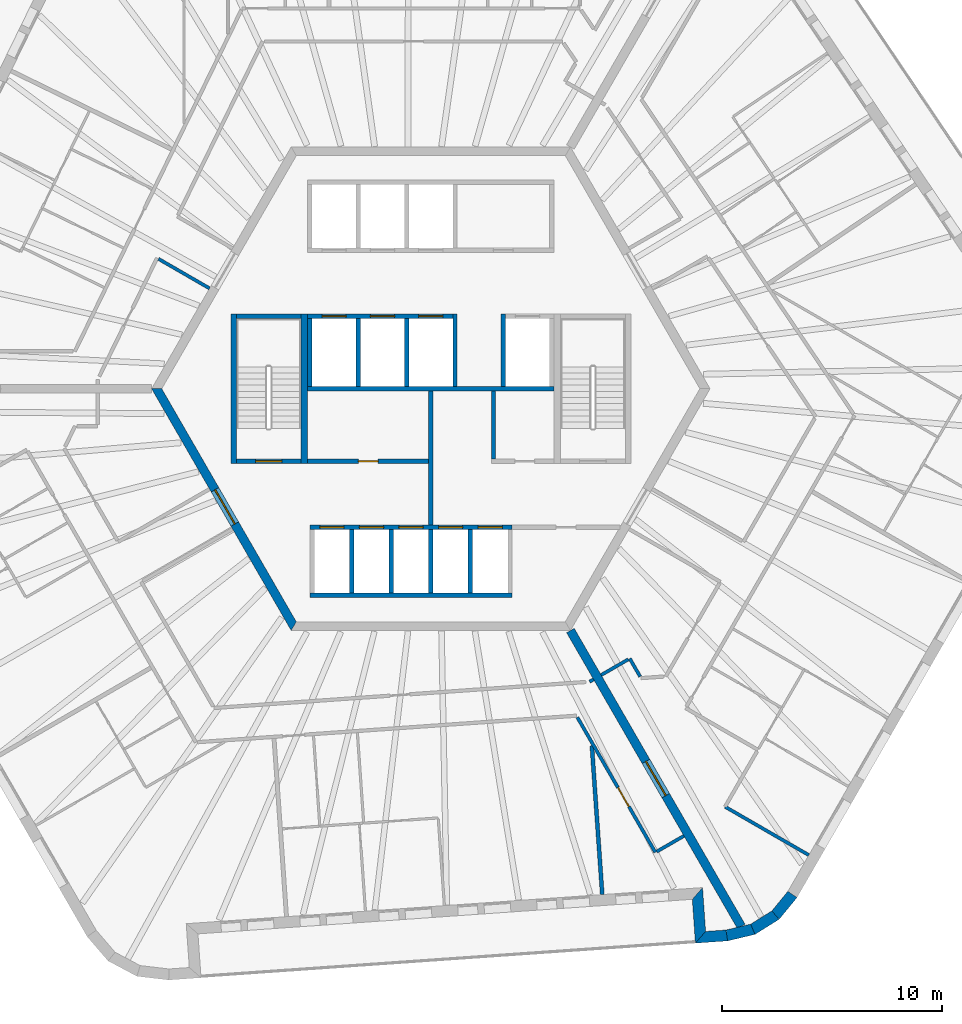
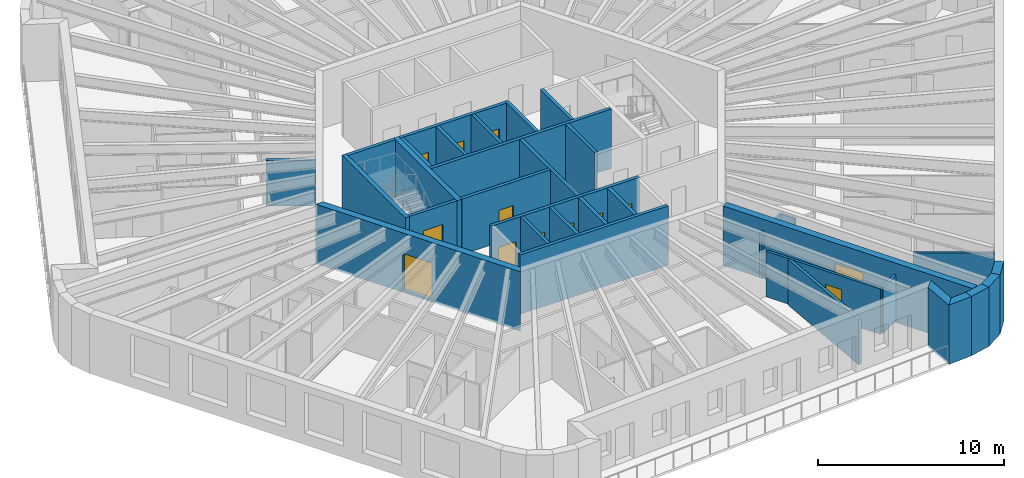
# One storey, part 5 of 12: 35 walls, 13 doors, 13 openings.
"""IFC4 building model written with IfcOpenShell, lengths in metres."""

from ifc_helpers import new_model, si_unit, direction, frame, frame_2d, origin, place, context, subcontext, project, spatial, polyline, rectangle, outline, extrude, material, layer, layer_set, type_object, element, fill, save


model = new_model("IFC4")

# Units and contexts
model_context = context("Model", 3, precision=1e-05, world=origin(), true_north=direction((0.0, 1.0)))
body_context = subcontext(model_context, "Body", "Model", "MODEL_VIEW")
ifc_project = project(units=[si_unit("LENGTHUNIT", "METRE"), si_unit("AREAUNIT", "SQUARE_METRE"), si_unit("VOLUMEUNIT", "CUBIC_METRE"), si_unit("PLANEANGLEUNIT", "RADIAN"), si_unit("MASSUNIT", "GRAM", prefix="KILO")], contexts=[model_context])

# Site, building, storey
site_placement = place(None, origin())
site = spatial("IfcSite", under=ifc_project, at=site_placement, CompositionType="ELEMENT")
building_placement = place(site_placement, origin())
building = spatial("IfcBuilding", under=site, at=building_placement, Name="Tarnside Tower", CompositionType="ELEMENT")
storey_placement = place(building_placement, frame((0.0, 0.0, 283.5)))
storey = spatial("IfcBuildingStorey", under=building, at=storey_placement, Name="L68", CompositionType="ELEMENT", Elevation=283.5)

# Wall, opening, door
ifc_material_1 = material(Name="Concrete C40/50", Category="concrete")
ifc_layer_1 = layer(ifc_material_1, 0.199951171875)
ifc_layer_set_1 = layer_set([ifc_layer_1], Name="Core room partition 200 C40/50")
wall_type_1 = type_object("IfcWallType", Name="Core room partition 200 C40/50", PredefinedType="PARTITIONING", material=ifc_layer_set_1)
wall_1_placement = place(storey_placement, frame((-5.60009765625, -3.300048828125, 0.0), z_axis=(0.0, 0.0, 1.0), x_axis=(1.0, 0.0, 0.0)))
wall_1 = element("IfcWall", 1, at=wall_1_placement, inside=storey, type_object=wall_type_1, Name="L68 core partition W3", PredefinedType="PARTITIONING", context=body_context, shape_type="SweptSolid", body=[
    extrude(rectangle(XDim=5.5, YDim=0.199951171875, at=frame_2d((2.75, 0.0))), origin(), (0.0, 0.0, 1.0), 3.64990234375),
])
opening_1_placement = place(wall_1_placement, frame((2.300048828125, 0.0, 0.0)))
opening_1 = element("IfcOpeningElement", 2, at=opening_1_placement, cuts=wall_1, Name="Opening CD-room", PredefinedType="OPENING", context=body_context, shape_type="SweptSolid", body=[
    extrude(rectangle(XDim=0.89990234375, YDim=2.10009765625, at=frame_2d((0.449951171875, 1.050048828125))), frame((0.0, 0.10986328125, 0.0), z_axis=(0.0, -1.0, 0.0), x_axis=(1.0, 0.0, 0.0)), (0.0, 0.0, 1.0), 0.219970703125),
])
ifc_material_2 = material(Name="Steel fire door", Category="steel")
door_type_1 = type_object("IfcDoorType", Name="Room door FD60 900x2100", OperationType="NOTDEFINED", PredefinedType="DOOR", material=ifc_material_2)
door_1_placement = place(opening_1_placement, origin())
door_1 = element("IfcDoor", 3, at=door_1_placement, inside=storey, type_object=door_type_1, Name="L68 core room door W3D", OperationType="SINGLE_SWING_LEFT", OverallHeight=2.10009765625, OverallWidth=0.89990234375, PredefinedType="DOOR", context=body_context, shape_type="SweptSolid", body=[
    extrude(rectangle(XDim=0.89990234375, YDim=2.10009765625, at=frame_2d((0.449951171875, 1.050048828125))), frame((0.0, 0.02490234375, 0.0), z_axis=(0.0, -1.0, 0.0), x_axis=(1.0, 0.0, 0.0)), (0.0, 0.0, 1.0), 0.050048828125),
])
fill(opening_1, door_1)

# Walls
wall_2_placement = place(storey_placement, frame((2.85009765625, -3.199951171875, 0.0), z_axis=(0.0, 0.0, 1.0), x_axis=(0.0, 1.0, 0.0)))
element("IfcWall", 4, at=wall_2_placement, inside=storey, type_object=wall_type_1, Name="L68 core partition R3P1a", PredefinedType="PARTITIONING", context=body_context, shape_type="SweptSolid", body=[
    extrude(rectangle(XDim=3.099853515625, YDim=0.199951171875, at=frame_2d((1.5498046875, 0.0))), origin(), (0.0, 0.0, 1.0), 3.64990234375),
])
wall_3_placement = place(storey_placement, frame((0.0, -6.199951171875, 0.0), z_axis=(0.0, 0.0, 1.0), x_axis=(0.0, 1.0, 0.0)))
element("IfcWall", 5, at=wall_3_placement, inside=storey, type_object=wall_type_1, Name="L68 core partition X0", PredefinedType="PARTITIONING", context=body_context, shape_type="SweptSolid", body=[
    extrude(rectangle(XDim=6.099853515625, YDim=0.199951171875, at=frame_2d((3.0498046875, 0.0))), origin(), (0.0, 0.0, 1.0), 3.64990234375),
])

# Wall, opening, door
ifc_material_3 = material(Name="Concrete C60/75", Category="concrete")
ifc_layer_2 = layer(ifc_material_3, 0.39990234375)
ifc_layer_set_2 = layer_set([ifc_layer_2], Name="Core wall Z3 400 C60/75")
wall_type_2 = type_object("IfcWallType", Name="Core wall Z3 400 C60/75", PredefinedType="SHEAR", material=ifc_layer_set_2)
wall_4_placement = place(storey_placement, frame((-12.470703125, 0.0, -0.14990234375), z_axis=(0.0, 0.0, 1.0), x_axis=(0.499996419489, -0.866027470984, 0.0)))
wall_4 = element("IfcWall", 6, at=wall_4_placement, inside=storey, type_object=wall_type_2, Name="L68 core wall face 3", PredefinedType="SHEAR", context=body_context, shape_type="SweptSolid", body=[
    extrude(outline(polyline([(-0.115478515625, -0.199951171875), (12.586181640625, -0.199951171875), (12.355224609375, 0.199951171875), (0.115478515625, 0.199951171875), (-0.115478515625, -0.199951171875)])), origin(), (0.0, 0.0, 1.0), 3.89990234375),
])
opening_2_placement = place(wall_4_placement, frame((5.306396484375, 0.0, 0.14990234375)))
opening_2 = element("IfcOpeningElement", 7, at=opening_2_placement, cuts=wall_4, Name="Opening CD-FFL", PredefinedType="OPENING", context=body_context, shape_type="SweptSolid", body=[
    extrude(rectangle(XDim=1.800048828125, YDim=2.39990234375, at=frame_2d((0.89990234375, 1.199951171875))), frame((0.0, 0.2099609375, 0.0), z_axis=(0.0, -1.0, 0.0), x_axis=(1.0, 0.0, 0.0)), (0.0, 0.0, 1.0), 0.419921875),
])
door_type_2 = type_object("IfcDoorType", Name="Firefighting lobby double door FD60S 1800x2400", OperationType="NOTDEFINED", PredefinedType="DOOR", material=ifc_material_2)
door_2_placement = place(opening_2_placement, origin())
door_2 = element("IfcDoor", 8, at=door_2_placement, inside=storey, type_object=door_type_2, Name="L68 core door P3", OperationType="DOUBLE_DOOR_SINGLE_SWING", OverallHeight=2.39990234375, OverallWidth=1.800048828125, PredefinedType="DOOR", context=body_context, shape_type="SweptSolid", body=[
    extrude(rectangle(XDim=1.800048828125, YDim=2.39990234375, at=frame_2d((0.89990234375, 1.199951171875))), frame((0.0, 0.02490234375, 0.0), z_axis=(0.0, -1.0, 0.0), x_axis=(1.0, 0.0, 0.0)), (0.0, 0.0, 1.0), 0.050048828125),
])
fill(opening_2, door_2)

wall_5_placement = place(storey_placement, frame((6.350830078125, -11.0, -0.14990234375), z_axis=(0.0, 0.0, 1.0), x_axis=(0.499998894578, -0.866026041999, 0.0)))
wall_5 = element("IfcWall", 9, at=wall_5_placement, inside=storey, type_object=wall_type_2, Name="L68 spine wall 3", PredefinedType="SHEAR", context=body_context, shape_type="SweptSolid", body=[
    extrude(rectangle(XDim=15.54443359375, YDim=0.39990234375, at=frame_2d((7.772216796875, 0.0))), origin(), (0.0, 0.0, 1.0), 3.89990234375),
])
opening_3_placement = place(wall_5_placement, frame((6.872314453125, 0.0, 0.14990234375)))
opening_3 = element("IfcOpeningElement", 10, at=opening_3_placement, cuts=wall_5, Name="Opening CD-SPN", PredefinedType="OPENING", context=body_context, shape_type="SweptSolid", body=[
    extrude(rectangle(XDim=1.800048828125, YDim=2.39990234375, at=frame_2d((0.89990234375, 1.199951171875))), frame((0.0, 0.2099609375, 0.0), z_axis=(0.0, -1.0, 0.0), x_axis=(1.0, 0.0, 0.0)), (0.0, 0.0, 1.0), 0.419921875),
])
door_type_3 = type_object("IfcDoorType", Name="Spine passage double door FD60 1800x2400", OperationType="NOTDEFINED", PredefinedType="DOOR", material=ifc_material_2)
door_3_placement = place(opening_3_placement, origin())
door_3 = element("IfcDoor", 11, at=door_3_placement, inside=storey, type_object=door_type_3, Name="L68 spine passage door 3", OperationType="DOUBLE_DOOR_SINGLE_SWING", OverallHeight=2.39990234375, OverallWidth=1.800048828125, PredefinedType="DOOR", context=body_context, shape_type="SweptSolid", body=[
    extrude(rectangle(XDim=1.800048828125, YDim=2.39990234375, at=frame_2d((0.89990234375, 1.199951171875))), frame((0.0, 0.02490234375, 0.0), z_axis=(0.0, -1.0, 0.0), x_axis=(1.0, 0.0, 0.0)), (0.0, 0.0, 1.0), 0.050048828125),
])
fill(opening_3, door_3)

# Wall
ifc_material_4 = material(Name="Gypsum board partition on steel studs", Category="steel")
ifc_layer_3 = layer(ifc_material_4, 0.14990234375)
ifc_layer_set_3 = layer_set([ifc_layer_3], Name="Corridor wall 150 EI 60")
wall_type_3 = type_object("IfcWallType", Name="Corridor wall 150 EI 60", PredefinedType="PARTITIONING", material=ifc_layer_set_3)
wall_6_placement = place(storey_placement, frame((-12.389404296875, 5.9072265625, 0.0), z_axis=(0.0, 0.0, 1.0), x_axis=(0.866034066097, -0.499984996134, 0.0)))
element("IfcWall", 12, at=wall_6_placement, inside=storey, type_object=wall_type_3, Name="Corridor wall 22028", PredefinedType="PARTITIONING", context=body_context, shape_type="SweptSolid", body=[
    extrude(rectangle(XDim=2.68310546875, YDim=0.14990234375, at=frame_2d((1.341552734375, 0.0))), origin(), (0.0, 0.0, 1.0), 2.98779296875),
])

# Wall, opening, door
wall_7_placement = place(storey_placement, frame((6.666259765625, -14.9462890625, 0.0), z_axis=(0.0, 0.0, 1.0), x_axis=(0.499979539361, -0.866037216418, 0.0)))
wall_7 = element("IfcWall", 13, at=wall_7_placement, inside=storey, type_object=wall_type_3, Name="Corridor wall 22041", PredefinedType="PARTITIONING", context=body_context, shape_type="SweptSolid", body=[
    extrude(rectangle(XDim=7.096923828125, YDim=0.14990234375, at=frame_2d((3.54833984375, 0.0))), origin(), (0.0, 0.0, 1.0), 2.98779296875),
])
opening_4_placement = place(wall_7_placement, frame((3.696044921875, 0.0, 0.0)))
opening_4 = element("IfcOpeningElement", 14, at=opening_4_placement, cuts=wall_7, Name="Opening D-E1", PredefinedType="OPENING", context=body_context, shape_type="SweptSolid", body=[
    extrude(rectangle(XDim=1.0, YDim=2.10009765625, at=frame_2d((0.5, 1.050048828125))), frame((0.0, 0.0849609375, 0.0), z_axis=(0.0, -1.0, 0.0), x_axis=(1.0, 0.0, 0.0)), (0.0, 0.0, 1.0), 0.169921875),
])
ifc_material_5 = material(Name="Timber door leaf", Category="wood")
door_type_4 = type_object("IfcDoorType", Name="Unit entrance door 1000 FD30S", OperationType="NOTDEFINED", PredefinedType="DOOR", material=ifc_material_5)
door_4_placement = place(opening_4_placement, origin())
door_4 = element("IfcDoor", 15, at=door_4_placement, inside=storey, type_object=door_type_4, Name="Unit door 22054", OperationType="SINGLE_SWING_RIGHT", OverallHeight=2.10009765625, OverallWidth=1.0, PredefinedType="DOOR", context=body_context, shape_type="SweptSolid", body=[
    extrude(rectangle(XDim=1.0, YDim=2.10009765625, at=frame_2d((0.5, 1.050048828125))), frame((0.0, 0.02490234375, 0.0), z_axis=(0.0, -1.0, 0.0), x_axis=(1.0, 0.0, 0.0)), (0.0, 0.0, 1.0), 0.050048828125),
])
fill(opening_4, door_4)

# Walls
wall_8_placement = place(storey_placement, frame((10.27978515625, -21.054931640625, 0.0), z_axis=(0.0, 0.0, 1.0), x_axis=(0.866020080793, 0.500009219579, 0.0)))
element("IfcWall", 16, at=wall_8_placement, inside=storey, type_object=wall_type_3, Name="Corridor wall 22045", PredefinedType="PARTITIONING", context=body_context, shape_type="SweptSolid", body=[
    extrude(rectangle(XDim=1.4248046875, YDim=0.14990234375, at=frame_2d((0.71240234375, 0.0))), origin(), (0.0, 0.0, 1.0), 2.98779296875),
])
wall_9_placement = place(storey_placement, frame((7.40380859375, -13.2236328125, 0.0), z_axis=(0.0, 0.0, 1.0), x_axis=(-0.866088799389, -0.499890179513, 0.0)))
element("IfcWall", 17, at=wall_9_placement, inside=storey, type_object=wall_type_3, Name="Corridor wall 22051", PredefinedType="PARTITIONING", context=body_context, shape_type="SweptSolid", body=[
    extrude(rectangle(XDim=0.2099609375, YDim=0.14990234375, at=frame_2d((0.10498046875, 0.0))), origin(), (0.0, 0.0, 1.0), 2.98779296875),
])
wall_10_placement = place(storey_placement, frame((17.196044921875, -21.215576171875, 0.0), z_axis=(0.0, 0.0, 1.0), x_axis=(-0.866010893236, 0.500025132165, 0.0)))
element("IfcWall", 18, at=wall_10_placement, inside=storey, type_object=wall_type_3, Name="Corridor wall 22060", PredefinedType="PARTITIONING", context=body_context, shape_type="SweptSolid", body=[
    extrude(rectangle(XDim=4.398681640625, YDim=0.14990234375, at=frame_2d((2.19921875, 0.0))), origin(), (0.0, 0.0, 1.0), 2.98779296875),
])
wall_11_placement = place(storey_placement, frame((9.52197265625, -13.0927734375, 0.0), z_axis=(0.0, 0.0, 1.0), x_axis=(-0.499804398801, 0.866138304741, 0.0)))
element("IfcWall", 19, at=wall_11_placement, inside=storey, type_object=wall_type_3, Name="Corridor wall 22079", PredefinedType="PARTITIONING", context=body_context, shape_type="SweptSolid", body=[
    extrude(rectangle(XDim=0.94580078125, YDim=0.14990234375, at=frame_2d((0.472900390625, 0.0))), origin(), (0.0, 0.0, 1.0), 2.98779296875),
])
wall_12_placement = place(storey_placement, frame((8.984130859375, -12.311279296875, 0.0), z_axis=(0.0, 0.0, 1.0), x_axis=(-0.866020080793, -0.500009219579, 0.0)))
element("IfcWall", 20, at=wall_12_placement, inside=storey, type_object=wall_type_3, Name="Corridor wall 22080", PredefinedType="PARTITIONING", context=body_context, shape_type="SweptSolid", body=[
    extrude(rectangle(XDim=1.4248046875, YDim=0.14990234375, at=frame_2d((0.71240234375, 0.0))), origin(), (0.0, 0.0, 1.0), 2.98779296875),
])
ifc_layer_4 = layer(ifc_material_4, 0.179931640625)
ifc_layer_set_4 = layer_set([ifc_layer_4], Name="Demising wall 180 EI 60")
wall_type_4 = type_object("IfcWallType", Name="Demising wall 180 EI 60", PredefinedType="PARTITIONING", material=ifc_layer_set_4)
wall_13_placement = place(storey_placement, frame((7.799560546875, -23.011962890625, 0.0), z_axis=(0.0, 0.0, 1.0), x_axis=(-0.069757205717, 0.997563999075, 0.0)))
element("IfcWall", 21, at=wall_13_placement, inside=storey, type_object=wall_type_4, Name="Demising wall 22140", PredefinedType="PARTITIONING", context=body_context, shape_type="SweptSolid", body=[
    extrude(rectangle(XDim=6.789794921875, YDim=0.179931640625, at=frame_2d((3.39501953125, 0.0))), origin(), (0.0, 0.0, 1.0), 2.98779296875),
])

# Wall, openings, doors
ifc_layer_5 = layer(ifc_material_1, 0.199951171875)
ifc_layer_set_5 = layer_set([ifc_layer_5], Name="Lift shaft wall 200 C40/50")
wall_type_5 = type_object("IfcWallType", Name="Lift shaft wall 200 C40/50", PredefinedType="SHEAR", material=ifc_layer_set_5)
wall_14_placement = place(storey_placement, frame((-5.60009765625, 3.300048828125, -0.25), z_axis=(0.0, 0.0, 1.0), x_axis=(1.0, 0.0, 0.0)))
wall_14 = element("IfcWall", 22, at=wall_14_placement, inside=storey, type_object=wall_type_5, Name="L68 lift shaft front wall R2", PredefinedType="SHEAR", context=body_context, shape_type="SweptSolid", body=[
    extrude(rectangle(XDim=6.60009765625, YDim=0.199951171875, at=frame_2d((3.300048828125, 0.0))), origin(), (0.0, 0.0, 1.0), 3.89990234375),
])
opening_5_placement = place(wall_14_placement, frame((0.64990234375, 0.0, 0.25)))
opening_5 = element("IfcOpeningElement", 23, at=opening_5_placement, cuts=wall_14, Name="Opening LD", PredefinedType="OPENING", context=body_context, shape_type="SweptSolid", body=[
    extrude(rectangle(XDim=1.10009765625, YDim=2.10009765625, at=frame_2d((0.550048828125, 1.050048828125))), frame((0.0, 0.10986328125, 0.0), z_axis=(0.0, -1.0, 0.0), x_axis=(1.0, 0.0, 0.0)), (0.0, 0.0, 1.0), 0.219970703125),
])
opening_6_placement = place(wall_14_placement, frame((2.85009765625, 0.0, 0.25)))
opening_6 = element("IfcOpeningElement", 24, at=opening_6_placement, cuts=wall_14, Name="Opening LD", PredefinedType="OPENING", context=body_context, shape_type="SweptSolid", body=[
    extrude(rectangle(XDim=1.10009765625, YDim=2.10009765625, at=frame_2d((0.550048828125, 1.050048828125))), frame((0.0, 0.10986328125, 0.0), z_axis=(0.0, -1.0, 0.0), x_axis=(1.0, 0.0, 0.0)), (0.0, 0.0, 1.0), 0.219970703125),
])
opening_7_placement = place(wall_14_placement, frame((5.050048828125, 0.0, 0.25)))
opening_7 = element("IfcOpeningElement", 25, at=opening_7_placement, cuts=wall_14, Name="Opening LD", PredefinedType="OPENING", context=body_context, shape_type="SweptSolid", body=[
    extrude(rectangle(XDim=1.10009765625, YDim=2.10009765625, at=frame_2d((0.550048828125, 1.050048828125))), frame((0.0, 0.10986328125, 0.0), z_axis=(0.0, -1.0, 0.0), x_axis=(1.0, 0.0, 0.0)), (0.0, 0.0, 1.0), 0.219970703125),
])
ifc_material_6 = material(Name="Stainless steel", Category="steel")
door_type_5 = type_object("IfcDoorType", Name="Lift landing door 1100x2100", OperationType="NOTDEFINED", PredefinedType="DOOR", material=ifc_material_6)
door_5_placement = place(opening_5_placement, origin())
door_5 = element("IfcDoor", 26, at=door_5_placement, inside=storey, type_object=door_type_5, Name="High-rise lift 4 landing door L68", OperationType="SLIDING_TO_LEFT", OverallHeight=2.10009765625, OverallWidth=1.10009765625, PredefinedType="DOOR", context=body_context, shape_type="SweptSolid", body=[
    extrude(rectangle(XDim=1.10009765625, YDim=2.10009765625, at=frame_2d((0.550048828125, 1.050048828125))), frame((0.0, 0.02490234375, 0.0), z_axis=(0.0, -1.0, 0.0), x_axis=(1.0, 0.0, 0.0)), (0.0, 0.0, 1.0), 0.050048828125),
])
fill(opening_5, door_5)
door_6_placement = place(opening_6_placement, origin())
door_6 = element("IfcDoor", 27, at=door_6_placement, inside=storey, type_object=door_type_5, Name="High-rise lift 5 landing door L68", OperationType="SLIDING_TO_LEFT", OverallHeight=2.10009765625, OverallWidth=1.10009765625, PredefinedType="DOOR", context=body_context, shape_type="SweptSolid", body=[
    extrude(rectangle(XDim=1.10009765625, YDim=2.10009765625, at=frame_2d((0.550048828125, 1.050048828125))), frame((0.0, 0.02490234375, 0.0), z_axis=(0.0, -1.0, 0.0), x_axis=(1.0, 0.0, 0.0)), (0.0, 0.0, 1.0), 0.050048828125),
])
fill(opening_6, door_6)
door_7_placement = place(opening_7_placement, origin())
door_7 = element("IfcDoor", 28, at=door_7_placement, inside=storey, type_object=door_type_5, Name="High-rise lift 6 landing door L68", OperationType="SLIDING_TO_LEFT", OverallHeight=2.10009765625, OverallWidth=1.10009765625, PredefinedType="DOOR", context=body_context, shape_type="SweptSolid", body=[
    extrude(rectangle(XDim=1.10009765625, YDim=2.10009765625, at=frame_2d((0.550048828125, 1.050048828125))), frame((0.0, 0.02490234375, 0.0), z_axis=(0.0, -1.0, 0.0), x_axis=(1.0, 0.0, 0.0)), (0.0, 0.0, 1.0), 0.050048828125),
])
fill(opening_7, door_7)

# Walls
wall_15_placement = place(storey_placement, frame((-5.60009765625, 0.0, -0.25), z_axis=(0.0, 0.0, 1.0), x_axis=(1.0, 0.0, 0.0)))
element("IfcWall", 29, at=wall_15_placement, inside=storey, type_object=wall_type_5, Name="L68 lift shaft back wall R2", PredefinedType="SHEAR", context=body_context, shape_type="SweptSolid", body=[
    extrude(rectangle(XDim=11.2001953125, YDim=0.199951171875, at=frame_2d((5.60009765625, 0.0))), origin(), (0.0, 0.0, 1.0), 3.89990234375),
])
for number, where, z_axis, x_axis, name in (
    (30, (-5.5, 0.10009765625, -0.25), (0.0, 0.0, 1.0), (0.0, 1.0, 0.0), "L68 lift shaft partition R21"),
    (31, (-3.300048828125, 0.10009765625, -0.25), (0.0, 0.0, 1.0), (0.0, 1.0, 0.0), "L68 lift shaft partition R22"),
    (32, (-1.10009765625, 0.10009765625, -0.25), (0.0, 0.0, 1.0), (0.0, 1.0, 0.0), "L68 lift shaft partition R23"),
):
    element("IfcWall", number, at=place(storey_placement, frame(where, z_axis=z_axis, x_axis=x_axis)), inside=storey, type_object=wall_type_5, Name=name, PredefinedType="SHEAR", context=body_context, shape_type="SweptSolid", body=[
        extrude(rectangle(XDim=3.099853515625, YDim=0.199951171875, at=frame_2d((1.5498046875, 0.0))), origin(), (0.0, 0.0, 1.0), 3.89990234375),
    ])
for number, where, z_axis, x_axis, name in (
    (33, (1.10009765625, 0.10009765625, -0.25), (0.0, 0.0, 1.0), (0.0, 1.0, 0.0), "L68 lift shaft partition R24"),
    (34, (3.300048828125, 0.10009765625, -0.25), (0.0, 0.0, 1.0), (0.0, 1.0, 0.0), "L68 lift shaft partition R25"),
):
    element("IfcWall", number, at=place(storey_placement, frame(where, z_axis=z_axis, x_axis=x_axis)), inside=storey, type_object=wall_type_5, Name=name, PredefinedType="SHEAR", context=body_context, shape_type="SweptSolid", body=[
        extrude(rectangle(XDim=3.2998046875, YDim=0.199951171875, at=frame_2d((1.64990234375, 0.0))), origin(), (0.0, 0.0, 1.0), 3.89990234375),
    ])

# Wall, openings, doors
wall_16_placement = place(storey_placement, frame((-5.5, -6.300048828125, -0.25), z_axis=(0.0, 0.0, 1.0), x_axis=(1.0, 0.0, 0.0)))
wall_16 = element("IfcWall", 35, at=wall_16_placement, inside=storey, type_object=wall_type_5, Name="L68 lift shaft front wall R4", PredefinedType="SHEAR", context=body_context, shape_type="SweptSolid", body=[
    extrude(rectangle(XDim=9.199951171875, YDim=0.199951171875, at=frame_2d((4.60009765625, 0.0))), origin(), (0.0, 0.0, 1.0), 3.89990234375),
])
opening_8_placement = place(wall_16_placement, frame((0.449951171875, 0.0, 0.25)))
opening_8 = element("IfcOpeningElement", 36, at=opening_8_placement, cuts=wall_16, Name="Opening LDF", PredefinedType="OPENING", context=body_context, shape_type="SweptSolid", body=[
    extrude(rectangle(XDim=1.10009765625, YDim=2.10009765625, at=frame_2d((0.550048828125, 1.050048828125))), frame((0.0, 0.10986328125, 0.0), z_axis=(0.0, -1.0, 0.0), x_axis=(1.0, 0.0, 0.0)), (0.0, 0.0, 1.0), 0.219970703125),
])
opening_9_placement = place(wall_16_placement, frame((2.25, 0.0, 0.25)))
opening_9 = element("IfcOpeningElement", 37, at=opening_9_placement, cuts=wall_16, Name="Opening LDF", PredefinedType="OPENING", context=body_context, shape_type="SweptSolid", body=[
    extrude(rectangle(XDim=1.10009765625, YDim=2.10009765625, at=frame_2d((0.550048828125, 1.050048828125))), frame((0.0, 0.10986328125, 0.0), z_axis=(0.0, -1.0, 0.0), x_axis=(1.0, 0.0, 0.0)), (0.0, 0.0, 1.0), 0.219970703125),
])
opening_10_placement = place(wall_16_placement, frame((4.050048828125, 0.0, 0.25)))
opening_10 = element("IfcOpeningElement", 38, at=opening_10_placement, cuts=wall_16, Name="Opening LDF", PredefinedType="OPENING", context=body_context, shape_type="SweptSolid", body=[
    extrude(rectangle(XDim=1.10009765625, YDim=2.10009765625, at=frame_2d((0.550048828125, 1.050048828125))), frame((0.0, 0.10986328125, 0.0), z_axis=(0.0, -1.0, 0.0), x_axis=(1.0, 0.0, 0.0)), (0.0, 0.0, 1.0), 0.219970703125),
])
opening_11_placement = place(wall_16_placement, frame((5.85009765625, 0.0, 0.25)))
opening_11 = element("IfcOpeningElement", 39, at=opening_11_placement, cuts=wall_16, Name="Opening LDF", PredefinedType="OPENING", context=body_context, shape_type="SweptSolid", body=[
    extrude(rectangle(XDim=1.10009765625, YDim=2.10009765625, at=frame_2d((0.550048828125, 1.050048828125))), frame((0.0, 0.10986328125, 0.0), z_axis=(0.0, -1.0, 0.0), x_axis=(1.0, 0.0, 0.0)), (0.0, 0.0, 1.0), 0.219970703125),
])
opening_12_placement = place(wall_16_placement, frame((7.64990234375, 0.0, 0.25)))
opening_12 = element("IfcOpeningElement", 40, at=opening_12_placement, cuts=wall_16, Name="Opening LDF", PredefinedType="OPENING", context=body_context, shape_type="SweptSolid", body=[
    extrude(rectangle(XDim=1.10009765625, YDim=2.10009765625, at=frame_2d((0.550048828125, 1.050048828125))), frame((0.0, 0.10986328125, 0.0), z_axis=(0.0, -1.0, 0.0), x_axis=(1.0, 0.0, 0.0)), (0.0, 0.0, 1.0), 0.219970703125),
])
door_type_6 = type_object("IfcDoorType", Name="Lift landing door 1100x2100 EI 120", OperationType="NOTDEFINED", PredefinedType="DOOR", material=ifc_material_6)
door_8_placement = place(opening_8_placement, origin())
door_8 = element("IfcDoor", 41, at=door_8_placement, inside=storey, type_object=door_type_6, Name="Firefighting lift 1 landing door L68", OperationType="SLIDING_TO_LEFT", OverallHeight=2.10009765625, OverallWidth=1.10009765625, PredefinedType="DOOR", context=body_context, shape_type="SweptSolid", body=[
    extrude(rectangle(XDim=1.10009765625, YDim=2.10009765625, at=frame_2d((0.550048828125, 1.050048828125))), frame((0.0, 0.02490234375, 0.0), z_axis=(0.0, -1.0, 0.0), x_axis=(1.0, 0.0, 0.0)), (0.0, 0.0, 1.0), 0.050048828125),
])
fill(opening_8, door_8)
door_9_placement = place(opening_9_placement, origin())
door_9 = element("IfcDoor", 42, at=door_9_placement, inside=storey, type_object=door_type_6, Name="Firefighting lift 2 landing door L68", OperationType="SLIDING_TO_LEFT", OverallHeight=2.10009765625, OverallWidth=1.10009765625, PredefinedType="DOOR", context=body_context, shape_type="SweptSolid", body=[
    extrude(rectangle(XDim=1.10009765625, YDim=2.10009765625, at=frame_2d((0.550048828125, 1.050048828125))), frame((0.0, 0.02490234375, 0.0), z_axis=(0.0, -1.0, 0.0), x_axis=(1.0, 0.0, 0.0)), (0.0, 0.0, 1.0), 0.050048828125),
])
fill(opening_9, door_9)
door_10_placement = place(opening_10_placement, origin())
door_10 = element("IfcDoor", 43, at=door_10_placement, inside=storey, type_object=door_type_6, Name="Firefighting lift 3 landing door L68", OperationType="SLIDING_TO_LEFT", OverallHeight=2.10009765625, OverallWidth=1.10009765625, PredefinedType="DOOR", context=body_context, shape_type="SweptSolid", body=[
    extrude(rectangle(XDim=1.10009765625, YDim=2.10009765625, at=frame_2d((0.550048828125, 1.050048828125))), frame((0.0, 0.02490234375, 0.0), z_axis=(0.0, -1.0, 0.0), x_axis=(1.0, 0.0, 0.0)), (0.0, 0.0, 1.0), 0.050048828125),
])
fill(opening_10, door_10)
door_11_placement = place(opening_11_placement, origin())
door_11 = element("IfcDoor", 44, at=door_11_placement, inside=storey, type_object=door_type_6, Name="Firefighting lift 4 landing door L68", OperationType="SLIDING_TO_LEFT", OverallHeight=2.10009765625, OverallWidth=1.10009765625, PredefinedType="DOOR", context=body_context, shape_type="SweptSolid", body=[
    extrude(rectangle(XDim=1.10009765625, YDim=2.10009765625, at=frame_2d((0.550048828125, 1.050048828125))), frame((0.0, 0.02490234375, 0.0), z_axis=(0.0, -1.0, 0.0), x_axis=(1.0, 0.0, 0.0)), (0.0, 0.0, 1.0), 0.050048828125),
])
fill(opening_11, door_11)
door_12_placement = place(opening_12_placement, origin())
door_12 = element("IfcDoor", 45, at=door_12_placement, inside=storey, type_object=door_type_6, Name="Firefighting lift 5 landing door L68", OperationType="SLIDING_TO_LEFT", OverallHeight=2.10009765625, OverallWidth=1.10009765625, PredefinedType="DOOR", context=body_context, shape_type="SweptSolid", body=[
    extrude(rectangle(XDim=1.10009765625, YDim=2.10009765625, at=frame_2d((0.550048828125, 1.050048828125))), frame((0.0, 0.02490234375, 0.0), z_axis=(0.0, -1.0, 0.0), x_axis=(1.0, 0.0, 0.0)), (0.0, 0.0, 1.0), 0.050048828125),
])
fill(opening_12, door_12)

# Walls
wall_17_placement = place(storey_placement, frame((-5.5, -9.39990234375, -0.25), z_axis=(0.0, 0.0, 1.0), x_axis=(1.0, 0.0, 0.0)))
element("IfcWall", 46, at=wall_17_placement, inside=storey, type_object=wall_type_5, Name="L68 lift shaft back wall R4", PredefinedType="SHEAR", context=body_context, shape_type="SweptSolid", body=[
    extrude(rectangle(XDim=9.199951171875, YDim=0.199951171875, at=frame_2d((4.60009765625, 0.0))), origin(), (0.0, 0.0, 1.0), 3.89990234375),
])
for number, where, z_axis, x_axis, name in (
    (47, (-3.60009765625, -9.300048828125, -0.25), (0.0, 0.0, 1.0), (0.0, 1.0, 0.0), "L68 lift shaft partition R42"),
    (48, (-1.800048828125, -9.300048828125, -0.25), (0.0, 0.0, 1.0), (0.0, 1.0, 0.0), "L68 lift shaft partition R43"),
    (49, (0.0, -9.300048828125, -0.25), (0.0, 0.0, 1.0), (0.0, 1.0, 0.0), "L68 lift shaft partition R44"),
    (50, (1.800048828125, -9.300048828125, -0.25), (0.0, 0.0, 1.0), (0.0, 1.0, 0.0), "L68 lift shaft partition R45"),
):
    element("IfcWall", number, at=place(storey_placement, frame(where, z_axis=z_axis, x_axis=x_axis)), inside=storey, type_object=wall_type_5, Name=name, PredefinedType="SHEAR", context=body_context, shape_type="SweptSolid", body=[
        extrude(rectangle(XDim=2.900146484375, YDim=0.199951171875, at=frame_2d((1.4501953125, 0.0))), origin(), (0.0, 0.0, 1.0), 3.89990234375),
    ])
wall_18_placement = place(storey_placement, frame((-8.85009765625, 3.300048828125, -0.25), z_axis=(0.0, 0.0, 1.0), x_axis=(1.0, 0.0, 0.0)))
element("IfcWall", 51, at=wall_18_placement, inside=storey, type_object=wall_type_5, Name="L68 stair 2 enclosure cap wall n", PredefinedType="SHEAR", context=body_context, shape_type="SweptSolid", body=[
    extrude(rectangle(XDim=2.9501953125, YDim=0.199951171875, at=frame_2d((1.47509765625, 0.0))), origin(), (0.0, 0.0, 1.0), 3.89990234375),
])

# Wall, opening, door
wall_19_placement = place(storey_placement, frame((-8.85009765625, -3.300048828125, -0.25), z_axis=(0.0, 0.0, 1.0), x_axis=(1.0, 0.0, 0.0)))
wall_19 = element("IfcWall", 52, at=wall_19_placement, inside=storey, type_object=wall_type_5, Name="L68 stair 2 enclosure cap wall s", PredefinedType="SHEAR", context=body_context, shape_type="SweptSolid", body=[
    extrude(rectangle(XDim=2.9501953125, YDim=0.199951171875, at=frame_2d((1.47509765625, 0.0))), origin(), (0.0, 0.0, 1.0), 3.89990234375),
])
opening_13_placement = place(wall_19_placement, frame((0.875, 0.0, 0.25)))
opening_13 = element("IfcOpeningElement", 53, at=opening_13_placement, cuts=wall_19, Name="Opening CD-STR", PredefinedType="OPENING", context=body_context, shape_type="SweptSolid", body=[
    extrude(rectangle(XDim=1.199951171875, YDim=2.39990234375, at=frame_2d((0.60009765625, 1.199951171875))), frame((0.0, 0.10986328125, 0.0), z_axis=(0.0, -1.0, 0.0), x_axis=(1.0, 0.0, 0.0)), (0.0, 0.0, 1.0), 0.219970703125),
])
door_type_7 = type_object("IfcDoorType", Name="Stair door FD60S 1200x2400", OperationType="NOTDEFINED", PredefinedType="DOOR", material=ifc_material_2)
door_13_placement = place(opening_13_placement, origin())
door_13 = element("IfcDoor", 54, at=door_13_placement, inside=storey, type_object=door_type_7, Name="L68 stair 2 door", OperationType="SINGLE_SWING_LEFT", OverallHeight=2.39990234375, OverallWidth=1.199951171875, PredefinedType="DOOR", context=body_context, shape_type="SweptSolid", body=[
    extrude(rectangle(XDim=1.199951171875, YDim=2.39990234375, at=frame_2d((0.60009765625, 1.199951171875))), frame((0.0, 0.02490234375, 0.0), z_axis=(0.0, -1.0, 0.0), x_axis=(1.0, 0.0, 0.0)), (0.0, 0.0, 1.0), 0.050048828125),
])
fill(opening_13, door_13)

# Walls
ifc_material_7 = material(Name="Dark zinc cladding")
ifc_layer_6 = layer(ifc_material_7, 0.10205078125)
ifc_material_8 = material(Name="Concrete C60/75 precast", Category="concrete")
ifc_layer_7 = layer(ifc_material_8, 0.298095703125)
ifc_material_9 = material(Name="Mineral wool insulation")
ifc_layer_8 = layer(ifc_material_9, 0.10009765625)
ifc_layer_set_6 = layer_set([ifc_layer_6, ifc_layer_7, ifc_layer_8], Name="Loggia wall 500 zinc faced")
wall_type_6 = type_object("IfcWallType", Name="Loggia wall 500 zinc faced", PredefinedType="SOLIDWALL", material=ifc_layer_set_6)
wall_20_placement = place(storey_placement, frame((12.128662109375, -22.9599609375, -0.14990234375), z_axis=(0.0, 0.0, 1.0), x_axis=(0.069824268692, -0.99755930726, 0.0)))
element("IfcWall", 55, at=wall_20_placement, inside=storey, type_object=wall_type_6, Name="Tube wall L68 F4 return 19", PredefinedType="SOLIDWALL", context=body_context, shape_type="SweptSolid", body=[
    extrude(outline(polyline([(0.25, -0.25), (2.25, -0.25), (1.75, 0.25), (-0.25, 0.25), (0.25, -0.25)])), origin(), (0.0, 0.0, 1.0), 3.89990234375),
])
wall_21_placement = place(storey_placement, frame((12.268310546875, -24.955078125, -0.14990234375), z_axis=(0.0, 0.0, 1.0), x_axis=(0.997561942506, 0.06978660948, 0.0)))
element("IfcWall", 56, at=wall_21_placement, inside=storey, type_object=wall_type_6, Name="Tube wall L68 F4 stub 20", PredefinedType="SOLIDWALL", context=body_context, shape_type="SweptSolid", body=[
    extrude(outline(polyline([(-0.25, -0.25), (1.220458984375, -0.25), (1.179443359375, 0.25), (0.25, 0.25), (-0.25, -0.25)])), origin(), (0.0, 0.0, 1.0), 3.89990234375),
])
ifc_layer_9 = layer(ifc_material_1, 0.25)
ifc_layer_set_7 = layer_set([ifc_layer_9], Name="Stair enclosure wall 250 C40/50")
wall_type_7 = type_object("IfcWallType", Name="Stair enclosure wall 250 C40/50", PredefinedType="SHEAR", material=ifc_layer_set_7)
wall_22_placement = place(storey_placement, frame((-8.97509765625, -3.39990234375, -0.25), z_axis=(0.0, 0.0, 1.0), x_axis=(0.0, 1.0, 0.0)))
element("IfcWall", 57, at=wall_22_placement, inside=storey, type_object=wall_type_7, Name="L68 stair 2 enclosure wall outer", PredefinedType="SHEAR", context=body_context, shape_type="SweptSolid", body=[
    extrude(rectangle(XDim=6.7998046875, YDim=0.25, at=frame_2d((3.39990234375, 0.0))), origin(), (0.0, 0.0, 1.0), 3.89990234375),
])
ifc_layer_10 = layer(ifc_material_1, 0.300048828125)
ifc_layer_set_8 = layer_set([ifc_layer_10], Name="Stair enclosure wall 300 C40/50")
wall_type_8 = type_object("IfcWallType", Name="Stair enclosure wall 300 C40/50", PredefinedType="SHEAR", material=ifc_layer_set_8)
wall_23_placement = place(storey_placement, frame((-5.75, -3.39990234375, -0.25), z_axis=(0.0, 0.0, 1.0), x_axis=(0.0, 1.0, 0.0)))
element("IfcWall", 58, at=wall_23_placement, inside=storey, type_object=wall_type_8, Name="L68 stair 2 enclosure wall inner", PredefinedType="SHEAR", context=body_context, shape_type="SweptSolid", body=[
    extrude(rectangle(XDim=6.7998046875, YDim=0.300048828125, at=frame_2d((3.39990234375, 0.0))), origin(), (0.0, 0.0, 1.0), 3.89990234375),
])
ifc_material_10 = material(Name="Facing brick", Category="masonry")
ifc_layer_11 = layer(ifc_material_10, 0.10205078125)
ifc_layer_12 = layer(ifc_material_8, 0.298095703125)
ifc_layer_13 = layer(ifc_material_9, 0.10009765625)
ifc_layer_set_9 = layer_set([ifc_layer_11, ifc_layer_12, ifc_layer_13], Name="Tube wall 500 brick faced")
wall_type_9 = type_object("IfcWallType", Name="Tube wall 500 brick faced", PredefinedType="SOLIDWALL", material=ifc_layer_set_9)
wall_24_placement = place(storey_placement, frame((13.46533203125, -24.871337890625, -0.14990234375), z_axis=(0.0, 0.0, 1.0), x_axis=(0.973044740285, 0.230616420501, 0.0)))
element("IfcWall", 59, at=wall_24_placement, inside=storey, type_object=wall_type_9, Name="Tube wall L68 F4 chord 21", PredefinedType="SOLIDWALL", context=body_context, shape_type="SweptSolid", body=[
    extrude(outline(polyline([(-0.0205078125, -0.25), (1.25732421875, -0.25), (1.17529296875, 0.25), (0.0205078125, 0.25), (-0.0205078125, -0.25)])), origin(), (0.0, 0.0, 1.0), 3.89990234375),
])
wall_25_placement = place(storey_placement, frame((14.64892578125, -24.5908203125, -0.14990234375), z_axis=(0.0, 0.0, 1.0), x_axis=(0.848054682072, 0.529908724419, 0.0)))
element("IfcWall", 60, at=wall_25_placement, inside=storey, type_object=wall_type_9, Name="Tube wall L68 F4 chord 22", PredefinedType="SOLIDWALL", context=body_context, shape_type="SweptSolid", body=[
    extrude(outline(polyline([(-0.041015625, -0.25), (1.25732421875, -0.25), (1.17529296875, 0.25), (0.041015625, 0.25), (-0.041015625, -0.25)])), origin(), (0.0, 0.0, 1.0), 3.89990234375),
])
wall_26_placement = place(storey_placement, frame((15.680419921875, -23.9462890625, -0.14990234375), z_axis=(0.0, 0.0, 1.0), x_axis=(0.633805934167, 0.773492105852, 0.0)))
element("IfcWall", 61, at=wall_26_placement, inside=storey, type_object=wall_type_9, Name="Tube wall L68 F4 chord 23", PredefinedType="SOLIDWALL", context=body_context, shape_type="SweptSolid", body=[
    extrude(outline(polyline([(-0.041015625, -0.25), (1.237060546875, -0.25), (1.196044921875, 0.25), (0.041015625, 0.25), (-0.041015625, -0.25)])), origin(), (0.0, 0.0, 1.0), 3.89990234375),
])

save(model, "model.ifc")
